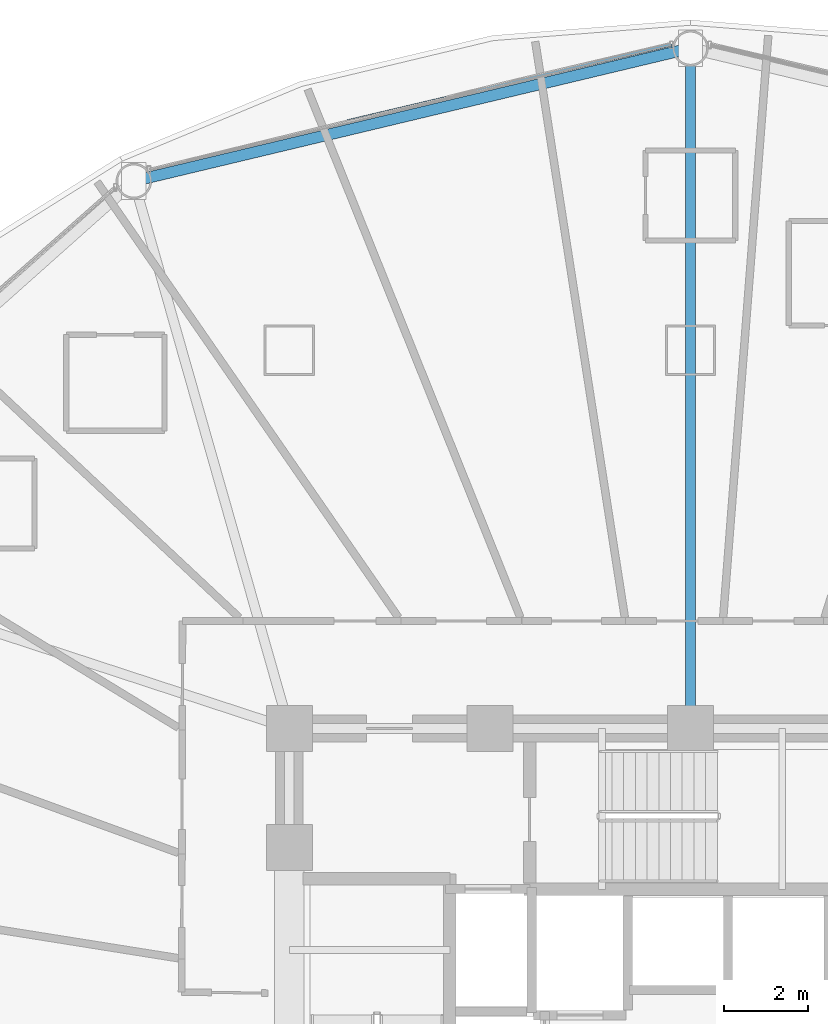
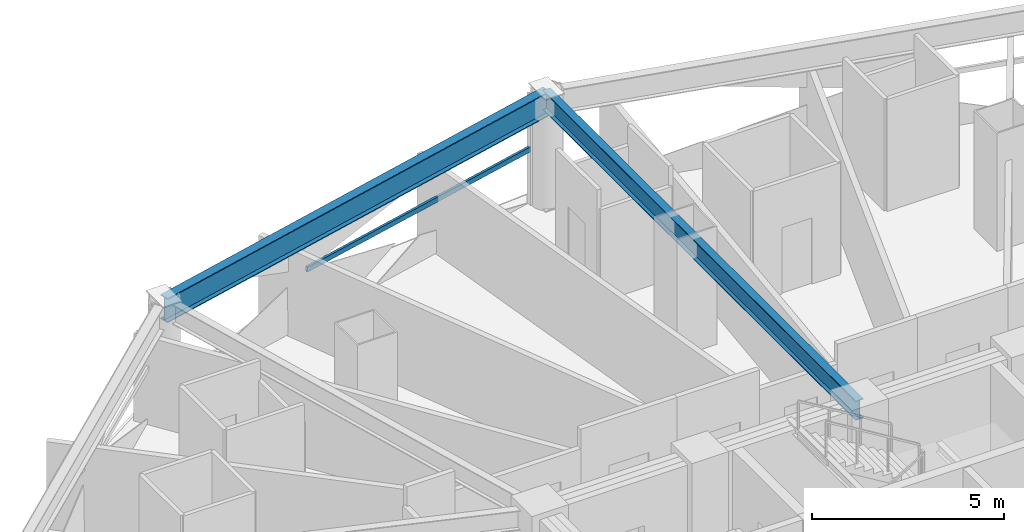
# One storey, part 18 of 32: 2 beams, 1 member, 1 element without a shape of its own.
"""IFC4 building model written with IfcOpenShell, lengths in metres."""

from ifc_helpers import new_model, si_unit, direction, frame, origin, origin_2d, place, context, subcontext, project, spatial, hollow_rectangle, i_section, extrude, material, layer, layer_set, material_profile, profile_set, type_object, element, aggregate, save


model = new_model("IFC4")

# Units and contexts
model_context = context("Model", 3, precision=1e-05, world=origin(), true_north=direction((0.0, 1.0)))
body_context = subcontext(model_context, "Body", "Model", "MODEL_VIEW")
ifc_project = project(units=[si_unit("LENGTHUNIT", "METRE"), si_unit("AREAUNIT", "SQUARE_METRE"), si_unit("VOLUMEUNIT", "CUBIC_METRE"), si_unit("PLANEANGLEUNIT", "RADIAN"), si_unit("MASSUNIT", "GRAM", prefix="KILO")], contexts=[model_context])

# Site, building, storey
site_placement = place(None, origin())
site = spatial("IfcSite", under=ifc_project, at=site_placement, CompositionType="ELEMENT")
building_placement = place(site_placement, origin())
building = spatial("IfcBuilding", under=site, at=building_placement, Name="Vantalir Tower", CompositionType="ELEMENT")
storey_placement = place(building_placement, frame((0.0, 0.0, 45.75)))
storey = spatial("IfcBuildingStorey", under=building, at=storey_placement, Name="L10", CompositionType="ELEMENT", Elevation=45.75)

# Beams
ifc_material_1 = material(Name="Steel S355", Category="steel")
ifc_material_profile_1 = material_profile(ifc_material_1, i_section(OverallWidth=0.22998046875, OverallDepth=0.616943359375, WebThickness=0.01318359375, FlangeThickness=0.022216796875, at=origin_2d()), Name="Steel S355")
ifc_profile_set_1 = profile_set([ifc_material_profile_1], Name="Steel S355")
beam_type_1 = type_object("IfcBeamType", Name="BM-RB-610x229", PredefinedType="BEAM", material=ifc_profile_set_1)
beam_1_placement = place(storey_placement, frame((31.5, 48.72607421875, 3.261962890625), z_axis=(0.0, -1.0, 0.0), x_axis=(1.0, 0.0, 0.0)))
element("IfcBeam", 1, at=beam_1_placement, inside=storey, type_object=beam_type_1, Name="L10 Radial Floor Beam 04", PredefinedType="BEAM", context=body_context, shape_type="SweptSolid", body=[
    extrude(i_section(OverallWidth=0.22998046875, OverallDepth=0.616943359375, WebThickness=0.01318359375, FlangeThickness=0.022216796875, at=origin_2d()), origin(), (0.0, 0.0, 1.0), 16.276123046875),
])
ifc_material_2 = material(Name="Steel S460", Category="steel")
ifc_material_profile_2 = material_profile(ifc_material_2, i_section(OverallWidth=0.26806640625, OverallDepth=0.77001953125, WebThickness=0.015625, FlangeThickness=0.025390625, at=origin_2d()), Name="Steel S460")
ifc_profile_set_2 = profile_set([ifc_material_profile_2], Name="Steel S460")
beam_type_2 = type_object("IfcBeamType", Name="BM-RG-762x267", PredefinedType="USERDEFINED", material=ifc_profile_set_2)
beam_2_placement = place(storey_placement, frame((31.5, 48.72607421875, 3.18505859375), z_axis=(-0.972678660555, -0.232155601486, 0.0), x_axis=(0.232155601486, -0.972678660555, 0.0)))
element("IfcBeam", 2, at=beam_2_placement, inside=storey, type_object=beam_type_2, Name="L10 Circumferential Ring Girder 04", ObjectType="GIRDER", PredefinedType="USERDEFINED", context=body_context, shape_type="SweptSolid", body=[
    extrude(i_section(OverallWidth=0.26806640625, OverallDepth=0.77001953125, WebThickness=0.015625, FlangeThickness=0.025390625, at=origin_2d()), origin(), (0.0, 0.0, 1.0), 13.693115234375),
])

# Curtain wall, member
ifc_material_3 = material(Name="Champagne-silver PVDF aluminium and double-silver Low-E glass", Category="aluminium")
ifc_layer = layer(ifc_material_3, 0.18994140625)
ifc_layer_set = layer_set([ifc_layer], Name="Champagne-silver PVDF aluminium and double-silver Low-E glass")
curtain_wall_type = type_object("IfcCurtainWallType", Name="CW-DIAMOND-Z1", PredefinedType="USERDEFINED", material=ifc_layer_set)
curtain_wall_placement = place(storey_placement, origin())
curtain_wall = element("IfcCurtainWall", 3, at=curtain_wall_placement, inside=storey, type_object=curtain_wall_type, Name="L10 Quilted Pyramid-Diamond Curtain Wall S04", ObjectType="UNITISED CURTAIN WALL", PredefinedType="USERDEFINED")
ifc_material_4 = material(Name="Champagne-silver PVDF aluminium 6063-T6", Category="aluminium")
ifc_material_profile_3 = material_profile(ifc_material_4, hollow_rectangle(XDim=0.074951171875, YDim=0.159912109375, WallThickness=0.00390625, at=origin_2d()), Name="Champagne-silver PVDF aluminium 6063-T6")
ifc_profile_set_3 = profile_set([ifc_material_profile_3], Name="Champagne-silver PVDF aluminium 6063-T6")
member_type = type_object("IfcMemberType", Name="CWT-160x75", PredefinedType="USERDEFINED", material=ifc_profile_set_3)
member_placement = place(storey_placement, frame((31.04296875, 48.806884765625, 1.784912109375), z_axis=(-0.973321076173, -0.229447341839, 0.0), x_axis=(0.229447341839, -0.973321076173, 0.0)))
member = element("IfcMember", 4, at=member_placement, type_object=member_type, Name="CW-L10-S04 Pyramid Fold Ridge Transom", ObjectType="TRANSOM", PredefinedType="USERDEFINED", context=body_context, shape_type="SweptSolid", body=[
    extrude(hollow_rectangle(XDim=0.074951171875, YDim=0.159912109375, WallThickness=0.00390625, at=origin_2d()), origin(), (0.0, 0.0, 1.0), 7.970703125),
])
aggregate(curtain_wall, [member])

save(model, "model.ifc")
